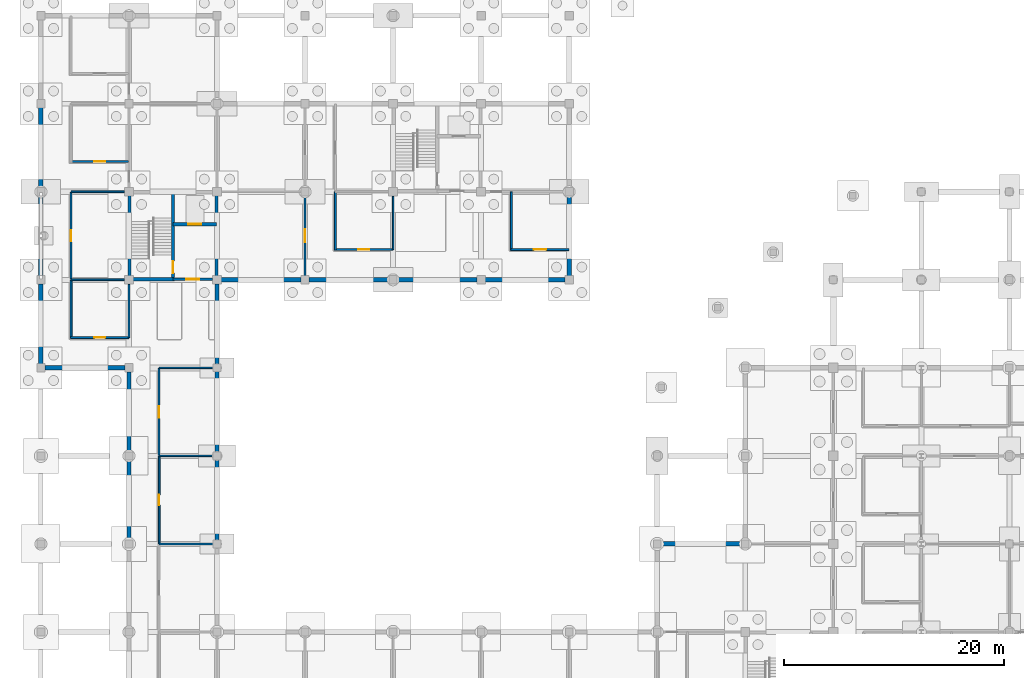
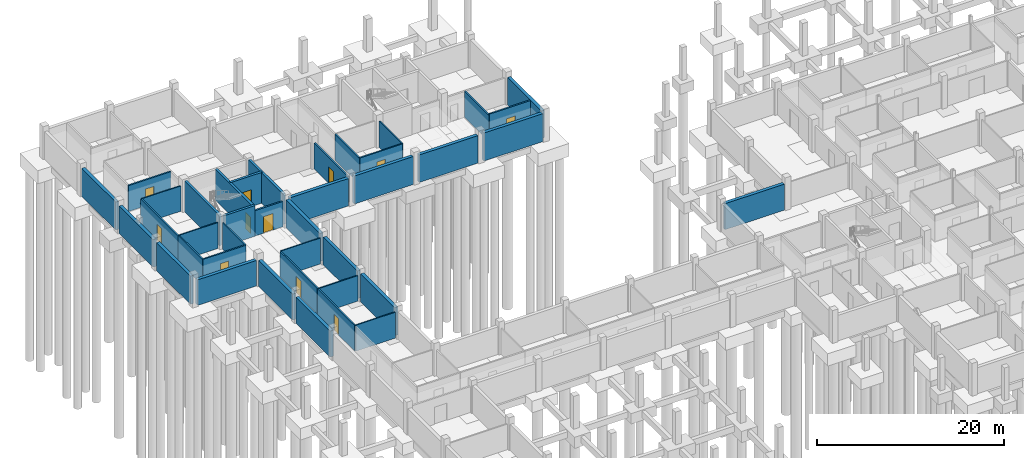
# One storey, part 32 of 48: 39 walls, 11 doors, 11 openings.
"""IFC4 building model written with IfcOpenShell, lengths in metres."""

from ifc_helpers import new_model, si_unit, derived_unit, direction, frame, frame_2d, origin, place, context, subcontext, project, spatial, rectangle, extrude, material, layer, layer_set, type_object, element, fill, save


model = new_model("IFC4")

# Units and contexts
model_context = context("Model", 3, precision=1e-05, world=origin(), true_north=direction((0.0, 1.0)))
body_context = subcontext(model_context, "Body", "Model", "MODEL_VIEW")
ifc_project = project(units=[si_unit("LENGTHUNIT", "METRE"), si_unit("AREAUNIT", "SQUARE_METRE"), si_unit("VOLUMEUNIT", "CUBIC_METRE"), si_unit("PLANEANGLEUNIT", "RADIAN"), si_unit("MASSUNIT", "GRAM", prefix="KILO"), derived_unit("THERMALTRANSMITTANCEUNIT", [(si_unit("MASSUNIT", "GRAM", prefix="KILO"), 1), (si_unit("TIMEUNIT", "SECOND"), -3), (si_unit("THERMODYNAMICTEMPERATUREUNIT", "KELVIN"), -1)])], contexts=[model_context])

# Site, building, storey
site_placement = place(None, origin())
site = spatial("IfcSite", under=ifc_project, at=site_placement, CompositionType="ELEMENT")
building_placement = place(site_placement, origin())
building = spatial("IfcBuilding", under=site, at=building_placement, Name="Veyamyaing Civic Hall", CompositionType="ELEMENT")
storey_placement = place(building_placement, frame((0.0, 0.0, -4.2900390625)))
storey = spatial("IfcBuildingStorey", under=building, at=storey_placement, Name="B1", CompositionType="ELEMENT", Elevation=-4.2900390625)

# Walls
ifc_material_1 = material(Name="Concrete C40/50", Category="concrete")
ifc_layer_1 = layer(ifc_material_1, 0.39990234375, Name="Concrete C40/50")
ifc_layer_set_1 = layer_set([ifc_layer_1], Name="Concrete C40/50")
wall_type_1 = type_object("IfcWallType", Name="WT-01", PredefinedType="SHEAR", material=ifc_layer_set_1)
wall_1_placement = place(storey_placement, frame((0.360107421875, 80.0, 0.0), z_axis=(0.0, 0.0, 1.0), x_axis=(1.0, 0.0, 0.0)))
element("IfcWall", 1, at=wall_1_placement, inside=storey, type_object=wall_type_1, Name="Basement retaining wall WT-01 S 1.11", PredefinedType="SHEAR", context=body_context, shape_type="SweptSolid", body=[
    extrude(rectangle(XDim=7.27978515625, YDim=0.39990234375, at=frame_2d((3.639892578125, 0.0))), origin(), (0.0, 0.0, 1.0), 3.3330078125),
])
wall_2_placement = place(storey_placement, frame((0.0, 80.360107421875, 0.0), z_axis=(0.0, 0.0, 1.0), x_axis=(0.0, 1.0, 0.0)))
element("IfcWall", 2, at=wall_2_placement, inside=storey, type_object=wall_type_1, Name="Basement retaining wall WT-01 W 1.11", PredefinedType="SHEAR", context=body_context, shape_type="SweptSolid", body=[
    extrude(rectangle(XDim=7.27978515625, YDim=0.39990234375, at=frame_2d((3.639892578125, 0.0))), origin(), (0.0, 0.0, 1.0), 3.6640625),
])
wall_3_placement = place(storey_placement, frame((0.0, 88.360107421875, 0.0), z_axis=(0.0, 0.0, 1.0), x_axis=(0.0, 1.0, 0.0)))
element("IfcWall", 3, at=wall_3_placement, inside=storey, type_object=wall_type_1, Name="Basement retaining wall WT-01 W 1.12", PredefinedType="SHEAR", context=body_context, shape_type="SweptSolid", body=[
    extrude(rectangle(XDim=7.27978515625, YDim=0.39990234375, at=frame_2d((3.639892578125, 0.0))), origin(), (0.0, 0.0, 1.0), 3.593994140625),
])
wall_4_placement = place(storey_placement, frame((0.0, 96.360107421875, 0.0), z_axis=(0.0, 0.0, 1.0), x_axis=(0.0, 1.0, 0.0)))
element("IfcWall", 4, at=wall_4_placement, inside=storey, type_object=wall_type_1, Name="Basement retaining wall WT-01 W 1.13", PredefinedType="SHEAR", context=body_context, shape_type="SweptSolid", body=[
    extrude(rectangle(XDim=7.27978515625, YDim=0.39990234375, at=frame_2d((3.639892578125, 0.0))), origin(), (0.0, 0.0, 1.0), 3.656982421875),
])
wall_5_placement = place(storey_placement, frame((8.0, 64.3349609375, 0.0), z_axis=(0.0, 0.0, 1.0), x_axis=(0.0, 1.0, 0.0)))
element("IfcWall", 5, at=wall_5_placement, inside=storey, type_object=wall_type_1, Name="Basement retaining wall WT-01 W 2.9", PredefinedType="SHEAR", context=body_context, shape_type="SweptSolid", body=[
    extrude(rectangle(XDim=7.330078125, YDim=0.39990234375, at=frame_2d((3.6650390625, 0.0))), origin(), (0.0, 0.0, 1.0), 3.408935546875),
])
wall_6_placement = place(storey_placement, frame((16.0, 64.3349609375, 0.0), z_axis=(0.0, 0.0, 1.0), x_axis=(0.0, 1.0, 0.0)))
element("IfcWall", 6, at=wall_6_placement, inside=storey, type_object=wall_type_1, Name="Basement retaining wall WT-01 E 2.9", PredefinedType="SHEAR", context=body_context, shape_type="SweptSolid", body=[
    extrude(rectangle(XDim=7.330078125, YDim=0.39990234375, at=frame_2d((3.6650390625, 0.0))), origin(), (0.0, 0.0, 1.0), 3.6640625),
])
wall_7_placement = place(storey_placement, frame((8.0, 72.3349609375, 0.0), z_axis=(0.0, 0.0, 1.0), x_axis=(0.0, 1.0, 0.0)))
element("IfcWall", 7, at=wall_7_placement, inside=storey, type_object=wall_type_1, Name="Basement retaining wall WT-01 W 2.10", PredefinedType="SHEAR", context=body_context, shape_type="SweptSolid", body=[
    extrude(rectangle(XDim=7.304931640625, YDim=0.39990234375, at=frame_2d((3.65234375, 0.0))), origin(), (0.0, 0.0, 1.0), 3.401123046875),
])
wall_8_placement = place(storey_placement, frame((16.0, 72.3349609375, 0.0), z_axis=(0.0, 0.0, 1.0), x_axis=(0.0, 1.0, 0.0)))
element("IfcWall", 8, at=wall_8_placement, inside=storey, type_object=wall_type_1, Name="Basement retaining wall WT-01 E 2.10", PredefinedType="SHEAR", context=body_context, shape_type="SweptSolid", body=[
    extrude(rectangle(XDim=7.330078125, YDim=0.39990234375, at=frame_2d((3.6650390625, 0.0))), origin(), (0.0, 0.0, 1.0), 3.60400390625),
])
wall_9_placement = place(storey_placement, frame((16.0, 80.3349609375, 0.0), z_axis=(0.0, 0.0, 1.0), x_axis=(0.0, 1.0, 0.0)))
element("IfcWall", 9, at=wall_9_placement, inside=storey, type_object=wall_type_1, Name="Basement retaining wall WT-01 E 2.11", PredefinedType="SHEAR", context=body_context, shape_type="SweptSolid", body=[
    extrude(rectangle(XDim=7.280029296875, YDim=0.39990234375, at=frame_2d((3.64013671875, 0.0))), origin(), (0.0, 0.0, 1.0), 3.6669921875),
])
wall_10_placement = place(storey_placement, frame((16.385009765625, 88.0, 0.0), z_axis=(0.0, 0.0, 1.0), x_axis=(1.0, 0.0, 0.0)))
element("IfcWall", 10, at=wall_10_placement, inside=storey, type_object=wall_type_1, Name="Basement retaining wall WT-01 S 3.12", PredefinedType="SHEAR", context=body_context, shape_type="SweptSolid", body=[
    extrude(rectangle(XDim=7.2548828125, YDim=0.39990234375, at=frame_2d((3.62744140625, 0.0))), origin(), (0.0, 0.0, 1.0), 3.590087890625),
])
wall_11_placement = place(storey_placement, frame((24.360107421875, 88.0, 0.0), z_axis=(0.0, 0.0, 1.0), x_axis=(1.0, 0.0, 0.0)))
element("IfcWall", 11, at=wall_11_placement, inside=storey, type_object=wall_type_1, Name="Basement retaining wall WT-01 S 4.12", PredefinedType="SHEAR", context=body_context, shape_type="SweptSolid", body=[
    extrude(rectangle(XDim=7.27978515625, YDim=0.39990234375, at=frame_2d((3.639892578125, 0.0))), origin(), (0.0, 0.0, 1.0), 3.654052734375),
])
wall_12_placement = place(storey_placement, frame((32.360107421875, 88.0, 0.0), z_axis=(0.0, 0.0, 1.0), x_axis=(1.0, 0.0, 0.0)))
element("IfcWall", 12, at=wall_12_placement, inside=storey, type_object=wall_type_1, Name="Basement retaining wall WT-01 S 5.12", PredefinedType="SHEAR", context=body_context, shape_type="SweptSolid", body=[
    extrude(rectangle(XDim=7.27978515625, YDim=0.39990234375, at=frame_2d((3.639892578125, 0.0))), origin(), (0.0, 0.0, 1.0), 3.593994140625),
])
wall_13_placement = place(storey_placement, frame((40.360107421875, 88.0, 0.0), z_axis=(0.0, 0.0, 1.0), x_axis=(1.0, 0.0, 0.0)))
element("IfcWall", 13, at=wall_13_placement, inside=storey, type_object=wall_type_1, Name="Basement retaining wall WT-01 S 6.12", PredefinedType="SHEAR", context=body_context, shape_type="SweptSolid", body=[
    extrude(rectangle(XDim=7.27978515625, YDim=0.39990234375, at=frame_2d((3.639892578125, 0.0))), origin(), (0.0, 0.0, 1.0), 3.656982421875),
])
wall_14_placement = place(storey_placement, frame((48.0, 88.360107421875, 0.0), z_axis=(0.0, 0.0, 1.0), x_axis=(0.0, 1.0, 0.0)))
element("IfcWall", 14, at=wall_14_placement, inside=storey, type_object=wall_type_1, Name="Basement retaining wall WT-01 E 6.12", PredefinedType="SHEAR", context=body_context, shape_type="SweptSolid", body=[
    extrude(rectangle(XDim=7.27978515625, YDim=0.39990234375, at=frame_2d((3.639892578125, 0.0))), origin(), (0.0, 0.0, 1.0), 3.590087890625),
])
wall_15_placement = place(storey_placement, frame((56.3349609375, 64.0, 0.0), z_axis=(0.0, 0.0, 1.0), x_axis=(1.0, 0.0, 0.0)))
element("IfcWall", 15, at=wall_15_placement, inside=storey, type_object=wall_type_1, Name="Basement retaining wall WT-01 N 8.8", PredefinedType="SHEAR", context=body_context, shape_type="SweptSolid", body=[
    extrude(rectangle(XDim=7.330078125, YDim=0.39990234375, at=frame_2d((3.6650390625, 0.0))), origin(), (0.0, 0.0, 1.0), 3.401123046875),
])
ifc_layer_2 = layer(ifc_material_1, 0.300048828125, Name="Concrete C40/50")
ifc_layer_set_2 = layer_set([ifc_layer_2], Name="Concrete C40/50")
wall_type_2 = type_object("IfcWallType", Name="WT-05", PredefinedType="SHEAR", material=ifc_layer_set_2)
for number, where, z_axis, x_axis, name in (
    (16, (8.050048828125, 88.2900390625, 0.0), (0.0, 0.0, 1.0), (0.0, 1.0, 0.0), "Core shear wall WT-05 CORE-1 B1.W"),
    (17, (15.949951171875, 88.2900390625, 0.0), (0.0, 0.0, 1.0), (0.0, 1.0, 0.0), "Core shear wall WT-05 CORE-1 B1.E"),
):
    element("IfcWall", number, at=place(storey_placement, frame(where, z_axis=z_axis, x_axis=x_axis)), inside=storey, type_object=wall_type_2, Name=name, PredefinedType="SHEAR", context=body_context, shape_type="SweptSolid", body=[
        extrude(rectangle(XDim=7.419921875, YDim=0.300048828125, at=frame_2d((3.7099609375, 0.0))), origin(), (0.0, 0.0, 1.0), 4.01513671875),
    ])
wall_16_placement = place(storey_placement, frame((8.2900390625, 88.050048828125, 0.0), z_axis=(0.0, 0.0, 1.0), x_axis=(1.0, 0.0, 0.0)))
element("IfcWall", 18, at=wall_16_placement, inside=storey, type_object=wall_type_2, Name="Core shear wall WT-05 CORE-1 B1.SS", PredefinedType="SHEAR", context=body_context, shape_type="SweptSolid", body=[
    extrude(rectangle(XDim=3.85986328125, YDim=0.300048828125, at=frame_2d((1.929931640625, 0.0))), origin(), (0.0, 0.0, 1.0), 4.01513671875),
])

# Wall, opening, door
wall_17_placement = place(storey_placement, frame((12.0, 88.050048828125, 0.0), z_axis=(0.0, 0.0, 1.0), x_axis=(0.0, 1.0, 0.0)))
wall_17 = element("IfcWall", 19, at=wall_17_placement, inside=storey, type_object=wall_type_2, Name="Core shear wall WT-05 CORE-1 B1.MID", PredefinedType="SHEAR", context=body_context, shape_type="SweptSolid", body=[
    extrude(rectangle(XDim=7.89990234375, YDim=0.300048828125, at=frame_2d((3.949951171875, 0.0))), origin(), (0.0, 0.0, 1.0), 4.01513671875),
])
opening_1_placement = place(wall_17_placement, frame((0.550048828125, 0.0, 0.0)))
opening_1 = element("IfcOpeningElement", 20, at=opening_1_placement, cuts=wall_17, Name="Opening D-03", PredefinedType="OPENING", context=body_context, shape_type="SweptSolid", body=[
    extrude(rectangle(XDim=1.10009765625, YDim=2.14990234375, at=frame_2d((0.550048828125, 1.074951171875))), frame((0.0, 0.159912109375, 0.0), z_axis=(0.0, -1.0, 0.0), x_axis=(1.0, 0.0, 0.0)), (0.0, 0.0, 1.0), 0.320068359375),
])
ifc_material_2 = material(Name="Galvanized steel S355J2", Category="steel")
door_type_1 = type_object("IfcDoorType", Name="D-03", OperationType="NOTDEFINED", PredefinedType="DOOR", material=ifc_material_2)
door_1_placement = place(opening_1_placement, origin())
door_1 = element("IfcDoor", 21, at=door_1_placement, inside=storey, type_object=door_type_1, Name="Exit stair fire door D-03 ST-01 B1", OperationType="SINGLE_SWING_LEFT", OverallHeight=2.14990234375, OverallWidth=1.10009765625, PredefinedType="DOOR", context=body_context, shape_type="SweptSolid", body=[
    extrude(rectangle(XDim=1.10009765625, YDim=2.14990234375, at=frame_2d((0.550048828125, 1.074951171875))), frame((0.0, 0.02490234375, 0.0), z_axis=(0.0, -1.0, 0.0), x_axis=(1.0, 0.0, 0.0)), (0.0, 0.0, 1.0), 0.050048828125),
])
fill(opening_1, door_1)

wall_18_placement = place(storey_placement, frame((12.0, 93.050048828125, 0.0), z_axis=(0.0, 0.0, 1.0), x_axis=(1.0, 0.0, 0.0)))
wall_18 = element("IfcWall", 22, at=wall_18_placement, inside=storey, type_object=wall_type_2, Name="Core shear wall WT-05 CORE-1 B1.LFT", PredefinedType="SHEAR", context=body_context, shape_type="SweptSolid", body=[
    extrude(rectangle(XDim=3.949951171875, YDim=0.300048828125, at=frame_2d((1.97509765625, 0.0))), origin(), (0.0, 0.0, 1.0), 4.01513671875),
])
opening_2_placement = place(wall_18_placement, frame((1.375, 0.0, 0.0)))
opening_2 = element("IfcOpeningElement", 23, at=opening_2_placement, cuts=wall_18, Name="Opening LD-02", PredefinedType="OPENING", context=body_context, shape_type="SweptSolid", body=[
    extrude(rectangle(XDim=1.199951171875, YDim=2.199951171875, at=frame_2d((0.60009765625, 1.10009765625))), frame((0.0, 0.159912109375, 0.0), z_axis=(0.0, -1.0, 0.0), x_axis=(1.0, 0.0, 0.0)), (0.0, 0.0, 1.0), 0.320068359375),
])
door_type_2 = type_object("IfcDoorType", Name="LD-02", OperationType="SLIDING_TO_LEFT", PredefinedType="DOOR", material=ifc_material_2)
door_2_placement = place(opening_2_placement, origin())
door_2 = element("IfcDoor", 24, at=door_2_placement, inside=storey, type_object=door_type_2, Name="Lift sliding landing door LD-02 FL-01 B1", OperationType="SLIDING_TO_LEFT", OverallHeight=2.199951171875, OverallWidth=1.199951171875, PredefinedType="DOOR", context=body_context, shape_type="SweptSolid", body=[
    extrude(rectangle(XDim=1.199951171875, YDim=2.199951171875, at=frame_2d((0.60009765625, 1.10009765625))), frame((0.0, 0.02490234375, 0.0), z_axis=(0.0, -1.0, 0.0), x_axis=(1.0, 0.0, 0.0)), (0.0, 0.0, 1.0), 0.050048828125),
])
fill(opening_2, door_2)

ifc_layer_3 = layer(ifc_material_1, 0.199951171875, Name="Concrete C40/50")
ifc_layer_set_3 = layer_set([ifc_layer_3], Name="Concrete C40/50")
wall_type_3 = type_object("IfcWallType", Name="WT-06", PredefinedType="PARTITIONING", material=ifc_layer_set_3)
wall_19_placement = place(storey_placement, frame((12.0, 88.050048828125, 0.0), z_axis=(0.0, 0.0, 1.0), x_axis=(1.0, 0.0, 0.0)))
wall_19 = element("IfcWall", 25, at=wall_19_placement, inside=storey, type_object=wall_type_3, Name="Firefighting lift lobby wall WT-06 CORE-1 B1", PredefinedType="PARTITIONING", context=body_context, shape_type="SweptSolid", body=[
    extrude(rectangle(XDim=3.610107421875, YDim=0.199951171875, at=frame_2d((1.80517578125, 0.0))), origin(), (0.0, 0.0, 1.0), 3.30712890625),
])
opening_3_placement = place(wall_19_placement, frame((1.205078125, 0.0, 0.0)))
opening_3 = element("IfcOpeningElement", 26, at=opening_3_placement, cuts=wall_19, Name="Opening D-04", PredefinedType="OPENING", context=body_context, shape_type="SweptSolid", body=[
    extrude(rectangle(XDim=1.199951171875, YDim=2.14990234375, at=frame_2d((0.60009765625, 1.074951171875))), frame((0.0, 0.10986328125, 0.0), z_axis=(0.0, -1.0, 0.0), x_axis=(1.0, 0.0, 0.0)), (0.0, 0.0, 1.0), 0.219970703125),
])
door_type_3 = type_object("IfcDoorType", Name="D-04", OperationType="NOTDEFINED", PredefinedType="DOOR", material=ifc_material_2)
door_3_placement = place(opening_3_placement, frame((1.199951171875, 0.0, 0.0), z_axis=(0.0, 0.0, 1.0), x_axis=(-1.0, 0.0, 0.0)))
door_3 = element("IfcDoor", 27, at=door_3_placement, inside=storey, type_object=door_type_3, Name="Protected lobby fire door D-04 CORE-1 B1", OperationType="SINGLE_SWING_RIGHT", OverallHeight=2.14990234375, OverallWidth=1.199951171875, PredefinedType="DOOR", context=body_context, shape_type="SweptSolid", body=[
    extrude(rectangle(XDim=1.199951171875, YDim=2.14990234375, at=frame_2d((0.60009765625, 1.074951171875))), frame((0.0, 0.02490234375, 0.0), z_axis=(0.0, -1.0, 0.0), x_axis=(1.0, 0.0, 0.0)), (0.0, 0.0, 1.0), 0.050048828125),
])
fill(opening_3, door_3)

wall_20_placement = place(storey_placement, frame((24.0, 88.364990234375, 0.0), z_axis=(0.0, 0.0, 1.0), x_axis=(0.0, 1.0, 0.0)))
wall_20 = element("IfcWall", 28, at=wall_20_placement, inside=storey, type_object=wall_type_3, Name="Interior partition wall WT-06 B1.9", PredefinedType="PARTITIONING", context=body_context, shape_type="SweptSolid", body=[
    extrude(rectangle(XDim=7.27001953125, YDim=0.199951171875, at=frame_2d((3.635009765625, 0.0))), origin(), (0.0, 0.0, 1.0), 3.384033203125),
])
opening_4_placement = place(wall_20_placement, frame((3.06005859375, 0.0, 0.0)))
opening_4 = element("IfcOpeningElement", 29, at=opening_4_placement, cuts=wall_20, Name="Opening D-17", PredefinedType="OPENING", context=body_context, shape_type="SweptSolid", body=[
    extrude(rectangle(XDim=1.14990234375, YDim=2.14990234375, at=frame_2d((0.574951171875, 1.074951171875))), frame((0.0, 0.10986328125, 0.0), z_axis=(0.0, -1.0, 0.0), x_axis=(1.0, 0.0, 0.0)), (0.0, 0.0, 1.0), 0.219970703125),
])
door_type_4 = type_object("IfcDoorType", Name="D-17", OperationType="NOTDEFINED", PredefinedType="DOOR", material=ifc_material_2)
door_4_placement = place(opening_4_placement, origin())
door_4 = element("IfcDoor", 30, at=door_4_placement, inside=storey, type_object=door_type_4, Name="Interior door D-17 B1.9", OperationType="SINGLE_SWING_RIGHT", OverallHeight=2.14990234375, OverallWidth=1.14990234375, PredefinedType="DOOR", context=body_context, shape_type="SweptSolid", body=[
    extrude(rectangle(XDim=1.14990234375, YDim=2.14990234375, at=frame_2d((0.574951171875, 1.074951171875))), frame((0.0, 0.02490234375, 0.0), z_axis=(0.0, -1.0, 0.0), x_axis=(1.0, 0.0, 0.0)), (0.0, 0.0, 1.0), 0.050048828125),
])
fill(opening_4, door_4)

ifc_material_3 = material(Name="Gypsum board on acoustic steel stud", Category="steel")
ifc_layer_4 = layer(ifc_material_3, 0.175048828125, Name="Gypsum board on acoustic steel stud")
ifc_layer_set_4 = layer_set([ifc_layer_4], Name="Gypsum board on acoustic steel stud")
wall_type_4 = type_object("IfcWallType", Name="WT-07", PredefinedType="PARTITIONING", material=ifc_layer_set_4)
wall_21_placement = place(storey_placement, frame((2.699951171875, 82.75, 0.0), z_axis=(0.0, 0.0, 1.0), x_axis=(1.0, 0.0, 0.0)))
wall_21 = element("IfcWall", 31, at=wall_21_placement, inside=storey, type_object=wall_type_4, Name="Corridor gallery partition WT-07 B1.1.1", PredefinedType="PARTITIONING", context=body_context, shape_type="SweptSolid", body=[
    extrude(rectangle(XDim=5.280029296875, YDim=0.175048828125, at=frame_2d((2.64013671875, 0.0))), origin(), (0.0, 0.0, 1.0), 3.4609375),
])
opening_5_placement = place(wall_21_placement, frame((2.139892578125, 0.0, 0.0)))
opening_5 = element("IfcOpeningElement", 32, at=opening_5_placement, cuts=wall_21, Name="Opening D-13", PredefinedType="OPENING", context=body_context, shape_type="SweptSolid", body=[
    extrude(rectangle(XDim=1.0, YDim=2.14990234375, at=frame_2d((0.5, 1.074951171875))), frame((0.0, 0.097412109375, 0.0), z_axis=(0.0, -1.0, 0.0), x_axis=(1.0, 0.0, 0.0)), (0.0, 0.0, 1.0), 0.195068359375),
])
ifc_material_4 = material(Name="Teak-veneered acoustic timber", Category="wood")
door_type_5 = type_object("IfcDoorType", Name="D-13", OperationType="NOTDEFINED", PredefinedType="DOOR", material=ifc_material_4)
door_5_placement = place(opening_5_placement, origin())
door_5 = element("IfcDoor", 33, at=door_5_placement, inside=storey, type_object=door_type_5, Name="Gallery office door D-13 B1.1", OperationType="SINGLE_SWING_LEFT", OverallHeight=2.14990234375, OverallWidth=1.0, PredefinedType="DOOR", context=body_context, shape_type="SweptSolid", body=[
    extrude(rectangle(XDim=1.0, YDim=2.14990234375, at=frame_2d((0.5, 1.074951171875))), frame((0.0, 0.02490234375, 0.0), z_axis=(0.0, -1.0, 0.0), x_axis=(1.0, 0.0, 0.0)), (0.0, 0.0, 1.0), 0.050048828125),
])
fill(opening_5, door_5)

# Wall
wall_22_placement = place(storey_placement, frame((2.75, 82.699951171875, 0.0), z_axis=(0.0, 0.0, 1.0), x_axis=(0.0, 1.0, 0.0)))
element("IfcWall", 34, at=wall_22_placement, inside=storey, type_object=wall_type_4, Name="Corridor gallery partition WT-07 B1.1.2", PredefinedType="PARTITIONING", context=body_context, shape_type="SweptSolid", body=[
    extrude(rectangle(XDim=5.280029296875, YDim=0.175048828125, at=frame_2d((2.64013671875, 0.0))), origin(), (0.0, 0.0, 1.0), 3.384033203125),
])

# Wall, opening, door
wall_23_placement = place(storey_placement, frame((2.699951171875, 98.75, 0.0), z_axis=(0.0, 0.0, 1.0), x_axis=(1.0, 0.0, 0.0)))
wall_23 = element("IfcWall", 35, at=wall_23_placement, inside=storey, type_object=wall_type_4, Name="Corridor gallery partition WT-07 B1.3.1", PredefinedType="PARTITIONING", context=body_context, shape_type="SweptSolid", body=[
    extrude(rectangle(XDim=5.280029296875, YDim=0.175048828125, at=frame_2d((2.64013671875, 0.0))), origin(), (0.0, 0.0, 1.0), 3.39208984375),
])
opening_6_placement = place(wall_23_placement, frame((2.1298828125, 0.0, 0.0)))
opening_6 = element("IfcOpeningElement", 36, at=opening_6_placement, cuts=wall_23, Name="Opening D-19", PredefinedType="OPENING", context=body_context, shape_type="SweptSolid", body=[
    extrude(rectangle(XDim=1.02001953125, YDim=2.199951171875, at=frame_2d((0.510009765625, 1.10009765625))), frame((0.0, 0.097412109375, 0.0), z_axis=(0.0, -1.0, 0.0), x_axis=(1.0, 0.0, 0.0)), (0.0, 0.0, 1.0), 0.195068359375),
])
door_type_6 = type_object("IfcDoorType", Name="D-19", OperationType="NOTDEFINED", PredefinedType="DOOR", material=ifc_material_4)
door_6_placement = place(opening_6_placement, origin())
door_6 = element("IfcDoor", 37, at=door_6_placement, inside=storey, type_object=door_type_6, Name="Gallery office door D-19 B1.3", OperationType="SINGLE_SWING_LEFT", OverallHeight=2.199951171875, OverallWidth=1.02001953125, PredefinedType="DOOR", context=body_context, shape_type="SweptSolid", body=[
    extrude(rectangle(XDim=1.02001953125, YDim=2.199951171875, at=frame_2d((0.510009765625, 1.10009765625))), frame((0.0, 0.02490234375, 0.0), z_axis=(0.0, -1.0, 0.0), x_axis=(1.0, 0.0, 0.0)), (0.0, 0.0, 1.0), 0.050048828125),
])
fill(opening_6, door_6)

wall_24_placement = place(storey_placement, frame((10.75, 64.02001953125, 0.0), z_axis=(0.0, 0.0, 1.0), x_axis=(0.0, 1.0, 0.0)))
wall_24 = element("IfcWall", 38, at=wall_24_placement, inside=storey, type_object=wall_type_4, Name="Corridor gallery partition WT-07 B1.9.1", PredefinedType="PARTITIONING", context=body_context, shape_type="SweptSolid", body=[
    extrude(rectangle(XDim=7.9599609375, YDim=0.175048828125, at=frame_2d((3.97998046875, 0.0))), origin(), (0.0, 0.0, 1.0), 3.325927734375),
])
opening_7_placement = place(wall_24_placement, frame((3.510009765625, 0.0, 0.0)))
opening_7 = element("IfcOpeningElement", 39, at=opening_7_placement, cuts=wall_24, Name="Opening D-30", PredefinedType="OPENING", context=body_context, shape_type="SweptSolid", body=[
    extrude(rectangle(XDim=0.93994140625, YDim=2.1201171875, at=frame_2d((0.469970703125, 1.06005859375))), frame((0.0, 0.097412109375, 0.0), z_axis=(0.0, -1.0, 0.0), x_axis=(1.0, 0.0, 0.0)), (0.0, 0.0, 1.0), 0.195068359375),
])
door_type_7 = type_object("IfcDoorType", Name="D-30", OperationType="NOTDEFINED", PredefinedType="DOOR", material=ifc_material_4)
door_7_placement = place(opening_7_placement, frame((0.93994140625, 0.0, 0.0), z_axis=(0.0, 0.0, 1.0), x_axis=(-1.0, 0.0, 0.0)))
door_7 = element("IfcDoor", 40, at=door_7_placement, inside=storey, type_object=door_type_7, Name="Gallery office door D-30 B1.9", OperationType="SINGLE_SWING_LEFT", OverallHeight=2.1201171875, OverallWidth=0.93994140625, PredefinedType="DOOR", context=body_context, shape_type="SweptSolid", body=[
    extrude(rectangle(XDim=0.93994140625, YDim=2.1201171875, at=frame_2d((0.469970703125, 1.06005859375))), frame((0.0, 0.02490234375, 0.0), z_axis=(0.0, -1.0, 0.0), x_axis=(1.0, 0.0, 0.0)), (0.0, 0.0, 1.0), 0.050048828125),
])
fill(opening_7, door_7)

wall_25_placement = place(storey_placement, frame((26.699951171875, 90.75, 0.0), z_axis=(0.0, 0.0, 1.0), x_axis=(1.0, 0.0, 0.0)))
wall_25 = element("IfcWall", 41, at=wall_25_placement, inside=storey, type_object=wall_type_4, Name="Corridor gallery partition WT-07 B1.13.1", PredefinedType="PARTITIONING", context=body_context, shape_type="SweptSolid", body=[
    extrude(rectangle(XDim=5.280029296875, YDim=0.175048828125, at=frame_2d((2.64013671875, 0.0))), origin(), (0.0, 0.0, 1.0), 3.450927734375),
])
opening_8_placement = place(wall_25_placement, frame((2.1298828125, 0.0, 0.0)))
opening_8 = element("IfcOpeningElement", 42, at=opening_8_placement, cuts=wall_25, Name="Opening D-19", PredefinedType="OPENING", context=body_context, shape_type="SweptSolid", body=[
    extrude(rectangle(XDim=1.02001953125, YDim=2.199951171875, at=frame_2d((0.510009765625, 1.10009765625))), frame((0.0, 0.097412109375, 0.0), z_axis=(0.0, -1.0, 0.0), x_axis=(1.0, 0.0, 0.0)), (0.0, 0.0, 1.0), 0.195068359375),
])
door_8_placement = place(opening_8_placement, origin())
door_8 = element("IfcDoor", 43, at=door_8_placement, inside=storey, type_object=door_type_6, Name="Gallery office door D-19 B1.13", OperationType="SINGLE_SWING_LEFT", OverallHeight=2.199951171875, OverallWidth=1.02001953125, PredefinedType="DOOR", context=body_context, shape_type="SweptSolid", body=[
    extrude(rectangle(XDim=1.02001953125, YDim=2.199951171875, at=frame_2d((0.510009765625, 1.10009765625))), frame((0.0, 0.02490234375, 0.0), z_axis=(0.0, -1.0, 0.0), x_axis=(1.0, 0.0, 0.0)), (0.0, 0.0, 1.0), 0.050048828125),
])
fill(opening_8, door_8)

# Wall
wall_26_placement = place(storey_placement, frame((26.75, 90.699951171875, 0.0), z_axis=(0.0, 0.0, 1.0), x_axis=(0.0, 1.0, 0.0)))
element("IfcWall", 44, at=wall_26_placement, inside=storey, type_object=wall_type_4, Name="Corridor gallery partition WT-07 B1.13.2", PredefinedType="PARTITIONING", context=body_context, shape_type="SweptSolid", body=[
    extrude(rectangle(XDim=5.280029296875, YDim=0.175048828125, at=frame_2d((2.64013671875, 0.0))), origin(), (0.0, 0.0, 1.0), 3.384033203125),
])

# Wall, opening, door
wall_27_placement = place(storey_placement, frame((42.699951171875, 90.75, 0.0), z_axis=(0.0, 0.0, 1.0), x_axis=(1.0, 0.0, 0.0)))
wall_27 = element("IfcWall", 45, at=wall_27_placement, inside=storey, type_object=wall_type_4, Name="Corridor gallery partition WT-07 B1.17.1", PredefinedType="PARTITIONING", context=body_context, shape_type="SweptSolid", body=[
    extrude(rectangle(XDim=5.280029296875, YDim=0.175048828125, at=frame_2d((2.64013671875, 0.0))), origin(), (0.0, 0.0, 1.0), 3.5830078125),
])
opening_9_placement = place(wall_27_placement, frame((2.080078125, 0.0, 0.0)))
opening_9 = element("IfcOpeningElement", 46, at=opening_9_placement, cuts=wall_27, Name="Opening D-26", PredefinedType="OPENING", context=body_context, shape_type="SweptSolid", body=[
    extrude(rectangle(XDim=1.1201171875, YDim=2.219970703125, at=frame_2d((0.56005859375, 1.10986328125))), frame((0.0, 0.097412109375, 0.0), z_axis=(0.0, -1.0, 0.0), x_axis=(1.0, 0.0, 0.0)), (0.0, 0.0, 1.0), 0.195068359375),
])
door_type_8 = type_object("IfcDoorType", Name="D-26", OperationType="NOTDEFINED", PredefinedType="DOOR", material=ifc_material_4)
door_9_placement = place(opening_9_placement, origin())
door_9 = element("IfcDoor", 47, at=door_9_placement, inside=storey, type_object=door_type_8, Name="Gallery office door D-26 B1.17", OperationType="SINGLE_SWING_LEFT", OverallHeight=2.219970703125, OverallWidth=1.1201171875, PredefinedType="DOOR", context=body_context, shape_type="SweptSolid", body=[
    extrude(rectangle(XDim=1.1201171875, YDim=2.219970703125, at=frame_2d((0.56005859375, 1.10986328125))), frame((0.0, 0.02490234375, 0.0), z_axis=(0.0, -1.0, 0.0), x_axis=(1.0, 0.0, 0.0)), (0.0, 0.0, 1.0), 0.050048828125),
])
fill(opening_9, door_9)

# Walls
wall_28_placement = place(storey_placement, frame((42.75, 90.699951171875, 0.0), z_axis=(0.0, 0.0, 1.0), x_axis=(0.0, 1.0, 0.0)))
element("IfcWall", 48, at=wall_28_placement, inside=storey, type_object=wall_type_4, Name="Corridor gallery partition WT-07 B1.17.2", PredefinedType="PARTITIONING", context=body_context, shape_type="SweptSolid", body=[
    extrude(rectangle(XDim=5.280029296875, YDim=0.175048828125, at=frame_2d((2.64013671875, 0.0))), origin(), (0.0, 0.0, 1.0), 3.383056640625),
])
ifc_material_5 = material(Name="Gypsum board on steel stud", Category="steel")
ifc_layer_5 = layer(ifc_material_5, 0.14990234375, Name="Gypsum board on steel stud")
ifc_layer_set_5 = layer_set([ifc_layer_5], Name="Gypsum board on steel stud")
wall_type_5 = type_object("IfcWallType", Name="WT-08", PredefinedType="PARTITIONING", material=ifc_layer_set_5)
wall_29_placement = place(storey_placement, frame((2.75, 88.0, 0.0), z_axis=(0.0, 0.0, 1.0), x_axis=(1.0, 0.0, 0.0)))
element("IfcWall", 49, at=wall_29_placement, inside=storey, type_object=wall_type_5, Name="Gallery office end partition WT-08 B1.1.1", PredefinedType="PARTITIONING", context=body_context, shape_type="SweptSolid", body=[
    extrude(rectangle(XDim=4.840087890625, YDim=0.14990234375, at=frame_2d((2.419921875, 0.0))), origin(), (0.0, 0.0, 1.0), 3.384033203125),
])
wall_30_placement = place(storey_placement, frame((8.0, 82.75, 0.0), z_axis=(0.0, 0.0, 1.0), x_axis=(0.0, 1.0, 0.0)))
element("IfcWall", 50, at=wall_30_placement, inside=storey, type_object=wall_type_5, Name="Gallery office end partition WT-08 B1.1.2", PredefinedType="PARTITIONING", context=body_context, shape_type="SweptSolid", body=[
    extrude(rectangle(XDim=4.840087890625, YDim=0.14990234375, at=frame_2d((2.419921875, 0.0))), origin(), (0.0, 0.0, 1.0), 3.4609375),
])
wall_31_placement = place(storey_placement, frame((2.75, 96.0, 0.0), z_axis=(0.0, 0.0, 1.0), x_axis=(1.0, 0.0, 0.0)))
element("IfcWall", 51, at=wall_31_placement, inside=storey, type_object=wall_type_5, Name="Gallery office end partition WT-08 B1.2.2", PredefinedType="PARTITIONING", context=body_context, shape_type="SweptSolid", body=[
    extrude(rectangle(XDim=4.840087890625, YDim=0.14990234375, at=frame_2d((2.419921875, 0.0))), origin(), (0.0, 0.0, 1.0), 3.30712890625),
])
wall_32_placement = place(storey_placement, frame((10.75, 64.0, 0.0), z_axis=(0.0, 0.0, 1.0), x_axis=(1.0, 0.0, 0.0)))
element("IfcWall", 52, at=wall_32_placement, inside=storey, type_object=wall_type_5, Name="Gallery office end partition WT-08 B1.8.2", PredefinedType="PARTITIONING", context=body_context, shape_type="SweptSolid", body=[
    extrude(rectangle(XDim=4.889892578125, YDim=0.14990234375, at=frame_2d((2.44482421875, 0.0))), origin(), (0.0, 0.0, 1.0), 3.39306640625),
])
wall_33_placement = place(storey_placement, frame((10.75, 72.0, 0.0), z_axis=(0.0, 0.0, 1.0), x_axis=(1.0, 0.0, 0.0)))
element("IfcWall", 53, at=wall_33_placement, inside=storey, type_object=wall_type_5, Name="Gallery office end partition WT-08 B1.9.2", PredefinedType="PARTITIONING", context=body_context, shape_type="SweptSolid", body=[
    extrude(rectangle(XDim=4.889892578125, YDim=0.14990234375, at=frame_2d((2.44482421875, 0.0))), origin(), (0.0, 0.0, 1.0), 3.325927734375),
])
wall_34_placement = place(storey_placement, frame((10.75, 80.0, 0.0), z_axis=(0.0, 0.0, 1.0), x_axis=(1.0, 0.0, 0.0)))
element("IfcWall", 54, at=wall_34_placement, inside=storey, type_object=wall_type_5, Name="Gallery office end partition WT-08 B1.10.2", PredefinedType="PARTITIONING", context=body_context, shape_type="SweptSolid", body=[
    extrude(rectangle(XDim=4.889892578125, YDim=0.14990234375, at=frame_2d((2.44482421875, 0.0))), origin(), (0.0, 0.0, 1.0), 3.39404296875),
])
wall_35_placement = place(storey_placement, frame((32.0, 90.75, 0.0), z_axis=(0.0, 0.0, 1.0), x_axis=(0.0, 1.0, 0.0)))
element("IfcWall", 55, at=wall_35_placement, inside=storey, type_object=wall_type_5, Name="Gallery office end partition WT-08 B1.13.2", PredefinedType="PARTITIONING", context=body_context, shape_type="SweptSolid", body=[
    extrude(rectangle(XDim=4.840087890625, YDim=0.14990234375, at=frame_2d((2.419921875, 0.0))), origin(), (0.0, 0.0, 1.0), 3.450927734375),
])

# Wall, opening, door
ifc_material_6 = material(Name="Gypsum board on double acoustic stud")
ifc_layer_6 = layer(ifc_material_6, 0.18505859375, Name="Gypsum board on double acoustic stud")
ifc_layer_set_6 = layer_set([ifc_layer_6], Name="Gypsum board on double acoustic stud")
wall_type_6 = type_object("IfcWallType", Name="WT-19", PredefinedType="PARTITIONING", material=ifc_layer_set_6)
wall_36_placement = place(storey_placement, frame((2.75, 88.02001953125, 0.0), z_axis=(0.0, 0.0, 1.0), x_axis=(0.0, 1.0, 0.0)))
wall_36 = element("IfcWall", 56, at=wall_36_placement, inside=storey, type_object=wall_type_6, Name="Corridor gallery partition WT-19 B1.2.1", PredefinedType="PARTITIONING", context=body_context, shape_type="SweptSolid", body=[
    extrude(rectangle(XDim=7.9599609375, YDim=0.18505859375, at=frame_2d((3.97998046875, 0.0))), origin(), (0.0, 0.0, 1.0), 3.30712890625),
])
opening_10_placement = place(wall_36_placement, frame((3.489990234375, 0.0, 0.0)))
opening_10 = element("IfcOpeningElement", 57, at=opening_10_placement, cuts=wall_36, Name="Opening D-14", PredefinedType="OPENING", context=body_context, shape_type="SweptSolid", body=[
    extrude(rectangle(XDim=0.97998046875, YDim=2.14990234375, at=frame_2d((0.489990234375, 1.074951171875))), frame((0.0, 0.1025390625, 0.0), z_axis=(0.0, -1.0, 0.0), x_axis=(1.0, 0.0, 0.0)), (0.0, 0.0, 1.0), 0.205078125),
])
door_type_9 = type_object("IfcDoorType", Name="D-14", OperationType="NOTDEFINED", PredefinedType="DOOR", material=ifc_material_4)
door_10_placement = place(opening_10_placement, frame((0.97998046875, 0.0, 0.0), z_axis=(0.0, 0.0, 1.0), x_axis=(-1.0, 0.0, 0.0)))
door_10 = element("IfcDoor", 58, at=door_10_placement, inside=storey, type_object=door_type_9, Name="Gallery office door D-14 B1.2", OperationType="SINGLE_SWING_RIGHT", OverallHeight=2.14990234375, OverallWidth=0.97998046875, PredefinedType="DOOR", context=body_context, shape_type="SweptSolid", body=[
    extrude(rectangle(XDim=0.97998046875, YDim=2.14990234375, at=frame_2d((0.489990234375, 1.074951171875))), frame((0.0, 0.02490234375, 0.0), z_axis=(0.0, -1.0, 0.0), x_axis=(1.0, 0.0, 0.0)), (0.0, 0.0, 1.0), 0.050048828125),
])
fill(opening_10, door_10)

wall_37_placement = place(storey_placement, frame((10.75, 72.02001953125, 0.0), z_axis=(0.0, 0.0, 1.0), x_axis=(0.0, 1.0, 0.0)))
wall_37 = element("IfcWall", 59, at=wall_37_placement, inside=storey, type_object=wall_type_6, Name="Corridor gallery partition WT-19 B1.10.1", PredefinedType="PARTITIONING", context=body_context, shape_type="SweptSolid", body=[
    extrude(rectangle(XDim=7.9599609375, YDim=0.18505859375, at=frame_2d((3.97998046875, 0.0))), origin(), (0.0, 0.0, 1.0), 3.325927734375),
])
opening_11_placement = place(wall_37_placement, frame((3.455078125, 0.0, 0.0)))
opening_11 = element("IfcOpeningElement", 60, at=opening_11_placement, cuts=wall_37, Name="Opening D-12", PredefinedType="OPENING", context=body_context, shape_type="SweptSolid", body=[
    extrude(rectangle(XDim=1.050048828125, YDim=2.14990234375, at=frame_2d((0.52490234375, 1.074951171875))), frame((0.0, 0.1025390625, 0.0), z_axis=(0.0, -1.0, 0.0), x_axis=(1.0, 0.0, 0.0)), (0.0, 0.0, 1.0), 0.205078125),
])
door_type_10 = type_object("IfcDoorType", Name="D-12", OperationType="NOTDEFINED", PredefinedType="DOOR", material=ifc_material_4)
door_11_placement = place(opening_11_placement, frame((1.050048828125, 0.0, 0.0), z_axis=(0.0, 0.0, 1.0), x_axis=(-1.0, 0.0, 0.0)))
door_11 = element("IfcDoor", 61, at=door_11_placement, inside=storey, type_object=door_type_10, Name="Gallery office door D-12 B1.10", OperationType="SINGLE_SWING_RIGHT", OverallHeight=2.14990234375, OverallWidth=1.050048828125, PredefinedType="DOOR", context=body_context, shape_type="SweptSolid", body=[
    extrude(rectangle(XDim=1.050048828125, YDim=2.14990234375, at=frame_2d((0.52490234375, 1.074951171875))), frame((0.0, 0.02490234375, 0.0), z_axis=(0.0, -1.0, 0.0), x_axis=(1.0, 0.0, 0.0)), (0.0, 0.0, 1.0), 0.050048828125),
])
fill(opening_11, door_11)

save(model, "model.ifc")
